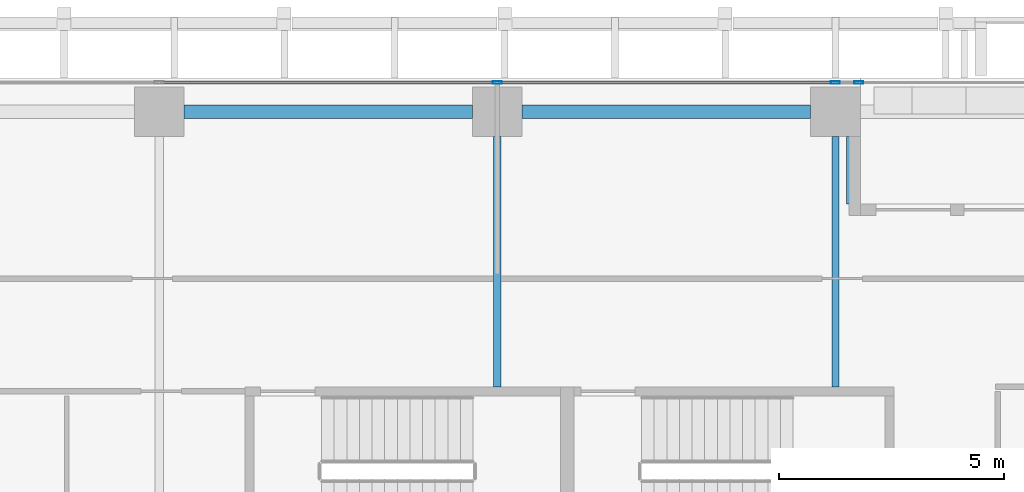
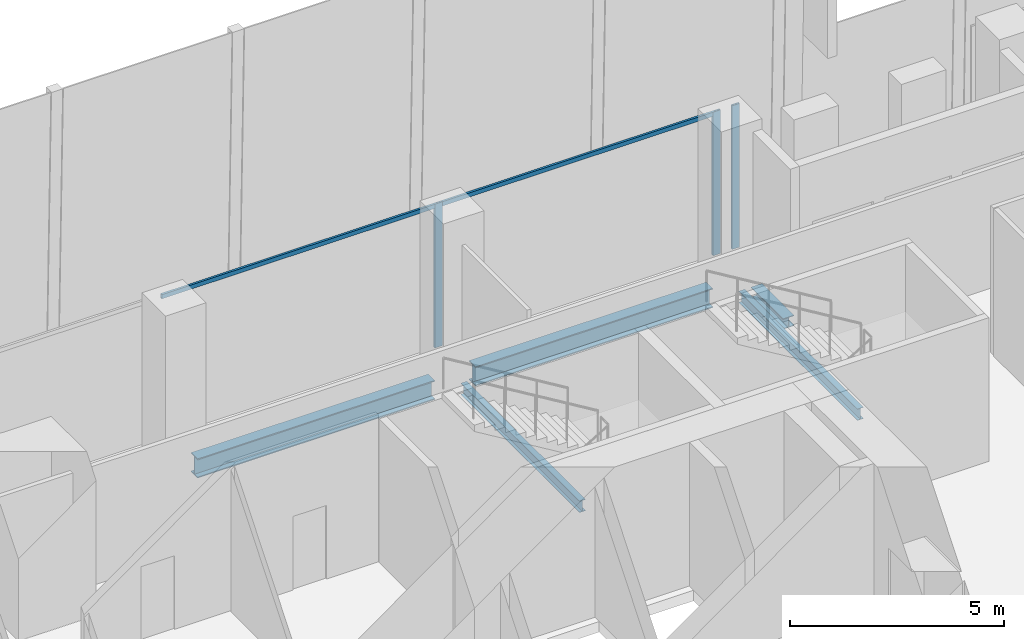
# One storey, part 17 of 34: 5 beams, 5 members, 1 element without a shape of its own.
"""IFC4 building model written with IfcOpenShell, lengths in metres."""

from ifc_helpers import new_model, si_unit, direction, frame, origin, origin_2d, place, context, subcontext, project, spatial, hollow_rectangle, i_section, extrude, source, transform, mapped, material, material_profile, profile_set, type_object, element, aggregate, save


model = new_model("IFC4")

# Units and contexts
model_context = context("Model", 3, precision=1e-05, world=origin(), true_north=direction((0.0, 1.0)))
body_context = subcontext(model_context, "Body", "Model", "MODEL_VIEW")
ifc_project = project(units=[si_unit("LENGTHUNIT", "METRE"), si_unit("AREAUNIT", "SQUARE_METRE"), si_unit("VOLUMEUNIT", "CUBIC_METRE"), si_unit("PLANEANGLEUNIT", "RADIAN"), si_unit("MASSUNIT", "GRAM", prefix="KILO")], contexts=[model_context])

# Site, building, storey
site_placement = place(None, origin())
site = spatial("IfcSite", under=ifc_project, at=site_placement, CompositionType="ELEMENT")
building_placement = place(site_placement, origin())
building = spatial("IfcBuilding", under=site, at=building_placement, Name="Khomas Fold Tower", CompositionType="ELEMENT")
storey_placement = place(building_placement, frame((0.0, 0.0, 154.300048828125)))
storey = spatial("IfcBuildingStorey", under=building, at=storey_placement, Name="L33", CompositionType="ELEMENT", Elevation=154.300048828125)

# Beams
ifc_material_1 = material(Name="Steel S355", Category="steel")
ifc_material_profile_1 = material_profile(ifc_material_1, i_section(OverallWidth=0.300048828125, OverallDepth=0.550048828125, WebThickness=0.014892578125, FlangeThickness=0.029052734375, at=origin_2d()), Name="HE 550 B")
ifc_profile_set_1 = profile_set([ifc_material_profile_1], Name="Steel S355")
beam_type_1 = type_object("IfcBeamType", Name="HE 550 B spandrel SB2", PredefinedType="SPANDREL", material=ifc_profile_set_1)
shared_shape_1 = source(origin(), body_context, "Body", "SweptSolid", [
    extrude(i_section(OverallWidth=0.300048828125, OverallDepth=0.550048828125, WebThickness=0.014892578125, FlangeThickness=0.029052734375, at=origin_2d()), origin(), (0.0, 0.0, 1.0), 6.39990234375),
])
for number, where, z_axis, x_axis, name in (
    (1, (20.050048828125, 51.75, -0.574951171875), (1.0, 0.0, 0.0), (0.0, 1.0, 0.0), "SB2"),
    (2, (12.550048828125, 51.75, -0.574951171875), (1.0, 0.0, 0.0), (0.0, 1.0, 0.0), "SB2"),
):
    element("IfcBeam", number, at=place(storey_placement, frame(where, z_axis=z_axis, x_axis=x_axis)), inside=storey, type_object=beam_type_1, Name=name, PredefinedType="SPANDREL", context=body_context, shape_type="MappedRepresentation", body=[
        mapped(shared_shape_1, transform((0.0, 0.0, 0.0))),
    ])
ifc_material_2 = material(Name="Steel S355", Category="steel")
ifc_material_profile_2 = material_profile(ifc_material_2, i_section(OverallWidth=0.159912109375, OverallDepth=0.330078125, WebThickness=0.007568359375, FlangeThickness=0.011474609375, at=origin_2d()), Name="IPE 330")
ifc_profile_set_2 = profile_set([ifc_material_profile_2], Name="Steel S355")
beam_type_2 = type_object("IfcBeamType", Name="IPE 330 beam JB1", PredefinedType="BEAM", material=ifc_profile_set_2)
shared_shape_2 = source(origin(), body_context, "Body", "SweptSolid", [
    extrude(i_section(OverallWidth=0.159912109375, OverallDepth=0.330078125, WebThickness=0.007568359375, FlangeThickness=0.011474609375, at=origin_2d()), origin(), (0.0, 0.0, 1.0), 5.550048828125),
])
for number, where, z_axis, x_axis, name in (
    (3, (19.5, 45.64990234375, -0.465087890625), (0.0, 1.0, 0.0), (-1.0, 0.0, 0.0), "JB1"),
    (4, (27.0, 45.64990234375, -0.465087890625), (0.0, 1.0, 0.0), (-1.0, 0.0, 0.0), "JB1"),
):
    element("IfcBeam", number, at=place(storey_placement, frame(where, z_axis=z_axis, x_axis=x_axis)), inside=storey, type_object=beam_type_2, Name=name, PredefinedType="BEAM", context=body_context, shape_type="MappedRepresentation", body=[
        mapped(shared_shape_2, transform((0.0, 0.0, 0.0))),
    ])
ifc_material_3 = material(Name="Steel S355", Category="steel")
ifc_material_profile_3 = material_profile(ifc_material_3, i_section(OverallWidth=0.300048828125, OverallDepth=0.300048828125, WebThickness=0.010986328125, FlangeThickness=0.01904296875, at=origin_2d()), Name="HE 300 B")
ifc_profile_set_3 = profile_set([ifc_material_profile_3], Name="Steel S355")
beam_type_3 = type_object("IfcBeamType", Name="HE 300 B beam BB1", PredefinedType="BEAM", material=ifc_profile_set_3)
shared_shape_3 = source(origin(), body_context, "Body", "SweptSolid", [
    extrude(i_section(OverallWidth=0.300048828125, OverallDepth=0.300048828125, WebThickness=0.010986328125, FlangeThickness=0.01904296875, at=origin_2d()), origin(), (0.0, 0.0, 1.0), 1.5),
])
beam_placement = place(storey_placement, frame((27.39990234375, 49.699951171875, -0.449951171875), z_axis=(0.0, 1.0, 0.0), x_axis=(-1.0, 0.0, 0.0)))
element("IfcBeam", 5, at=beam_placement, inside=storey, type_object=beam_type_3, Name="BB1", PredefinedType="BEAM", context=body_context, shape_type="MappedRepresentation", body=[
    mapped(shared_shape_3, transform((0.0, 0.0, 0.0))),
])

# Curtain wall, members
ifc_material_4 = material(Name="Aluminium framed double glazing", Category="aluminium")
curtain_wall_type = type_object("IfcCurtainWallType", Name="SK-Unitised clear-glass wall, growing floors CW1", PredefinedType="NOTDEFINED", material=ifc_material_4)
curtain_wall_placement = place(storey_placement, origin())
curtain_wall = element("IfcCurtainWall", 6, at=curtain_wall_placement, inside=storey, type_object=curtain_wall_type, Name="CW1 run L33 06-1", PredefinedType="NOTDEFINED")
ifc_material_5 = material(Name="Aluminium", Category="aluminium")
ifc_material_profile_4 = material_profile(ifc_material_5, hollow_rectangle(XDim=0.06005859375, YDim=0.1201171875, WallThickness=0.00390625, at=origin_2d()), Name="SK-Unitised clear-glass wall, growing floors transom CW1-T")
ifc_profile_set_4 = profile_set([ifc_material_profile_4], Name="Aluminium")
member_type_1 = type_object("IfcMemberType", Name="SK-Unitised clear-glass wall, growing floors transom CW1-T", PredefinedType="USERDEFINED", material=ifc_profile_set_4)
shared_shape_4 = source(origin(), body_context, "Body", "SweptSolid", [
    extrude(hollow_rectangle(XDim=0.06005859375, YDim=0.1201171875, WallThickness=0.00390625, at=origin_2d()), origin(), (0.0, 0.0, 1.0), 7.43994140625),
])
member_1_placement = place(storey_placement, frame((26.969970703125, 52.39990234375, 4.0400390625), z_axis=(-1.0, 0.0, 0.0), x_axis=(0.0, -1.0, 0.0)))
member_1 = element("IfcMember", 7, at=member_1_placement, type_object=member_type_1, Name="CW1 transom 2", ObjectType="TRANSOM", PredefinedType="USERDEFINED", context=body_context, shape_type="MappedRepresentation", body=[
    mapped(shared_shape_4, transform((0.0, 0.0, 0.0))),
])
member_2_placement = place(storey_placement, frame((19.469970703125, 52.39990234375, 4.0400390625), z_axis=(-1.0, 0.0, 0.0), x_axis=(0.0, -1.0, 0.0)))
member_2 = element("IfcMember", 8, at=member_2_placement, type_object=member_type_1, Name="CW1 transom 3", ObjectType="TRANSOM", PredefinedType="USERDEFINED", context=body_context, shape_type="MappedRepresentation", body=[
    mapped(shared_shape_4, transform((0.0, 0.0, 0.0))),
])
ifc_material_6 = material(Name="Aluminium", Category="aluminium")
ifc_material_profile_5 = material_profile(ifc_material_6, hollow_rectangle(XDim=0.06005859375, YDim=0.199951171875, WallThickness=0.00390625, at=origin_2d()), Name="SK-Unitised clear-glass wall, growing floors mullion CW1-M")
ifc_profile_set_5 = profile_set([ifc_material_profile_5], Name="Aluminium")
member_type_2 = type_object("IfcMemberType", Name="SK-Unitised clear-glass wall, growing floors mullion CW1-M", PredefinedType="MULLION", material=ifc_profile_set_5)
shared_shape_5 = source(origin(), body_context, "Body", "SweptSolid", [
    extrude(hollow_rectangle(XDim=0.06005859375, YDim=0.199951171875, WallThickness=0.00390625, at=origin_2d()), origin(), (0.0, 0.0, 1.0), 4.099853515625),
])
member_3_placement = place(storey_placement, frame((27.52001953125, 52.39990234375, 0.0), z_axis=(0.0, 0.0, 1.0), x_axis=(0.0, -1.0, 0.0)))
member_3 = element("IfcMember", 9, at=member_3_placement, type_object=member_type_2, Name="CW1 mullion 1", PredefinedType="MULLION", context=body_context, shape_type="MappedRepresentation", body=[
    mapped(shared_shape_5, transform((0.0, 0.0, 0.0))),
])
member_4_placement = place(storey_placement, frame((27.0, 52.39990234375, 0.0), z_axis=(0.0, 0.0, 1.0), x_axis=(0.0, -1.0, 0.0)))
member_4 = element("IfcMember", 10, at=member_4_placement, type_object=member_type_2, Name="CW1 mullion 2", PredefinedType="MULLION", context=body_context, shape_type="MappedRepresentation", body=[
    mapped(shared_shape_5, transform((0.0, 0.0, 0.0))),
])
member_5_placement = place(storey_placement, frame((19.5, 52.39990234375, 0.0), z_axis=(0.0, 0.0, 1.0), x_axis=(0.0, -1.0, 0.0)))
member_5 = element("IfcMember", 11, at=member_5_placement, type_object=member_type_2, Name="CW1 mullion 3", PredefinedType="MULLION", context=body_context, shape_type="MappedRepresentation", body=[
    mapped(shared_shape_5, transform((0.0, 0.0, 0.0))),
])
aggregate(curtain_wall, [member_3, member_4, member_5, member_1, member_2])

save(model, "model.ifc")
